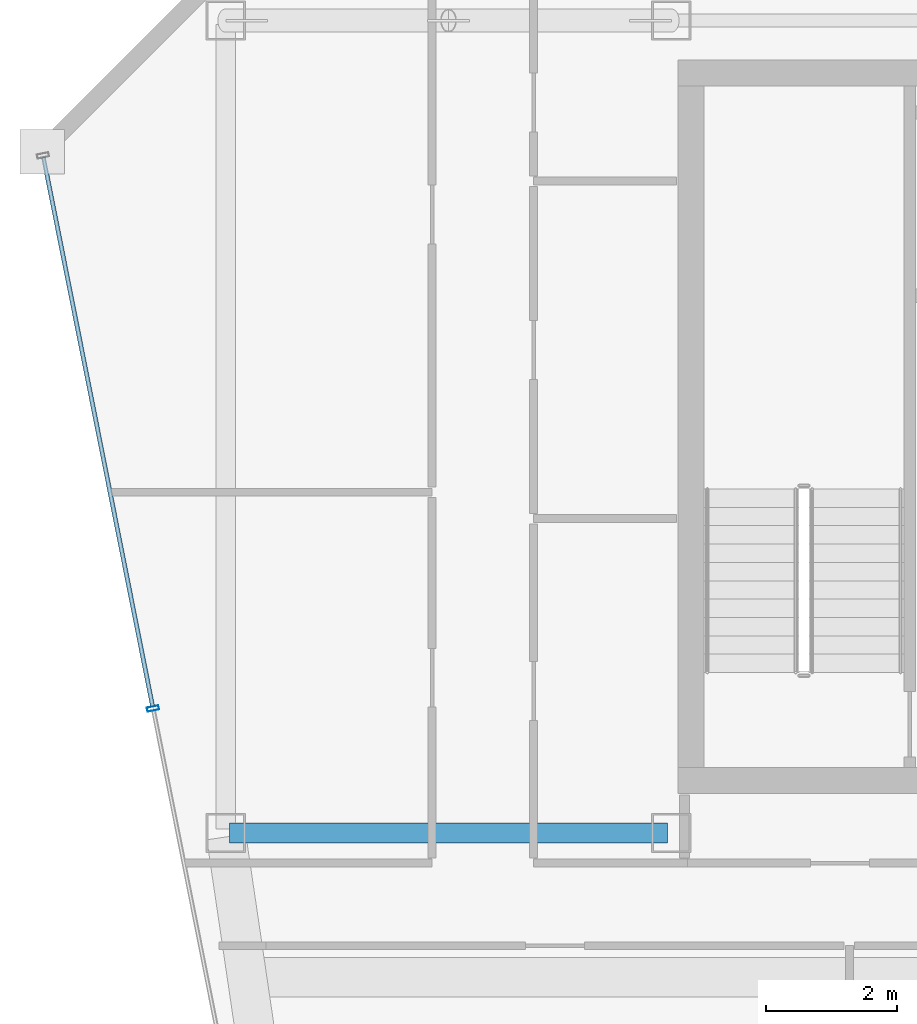
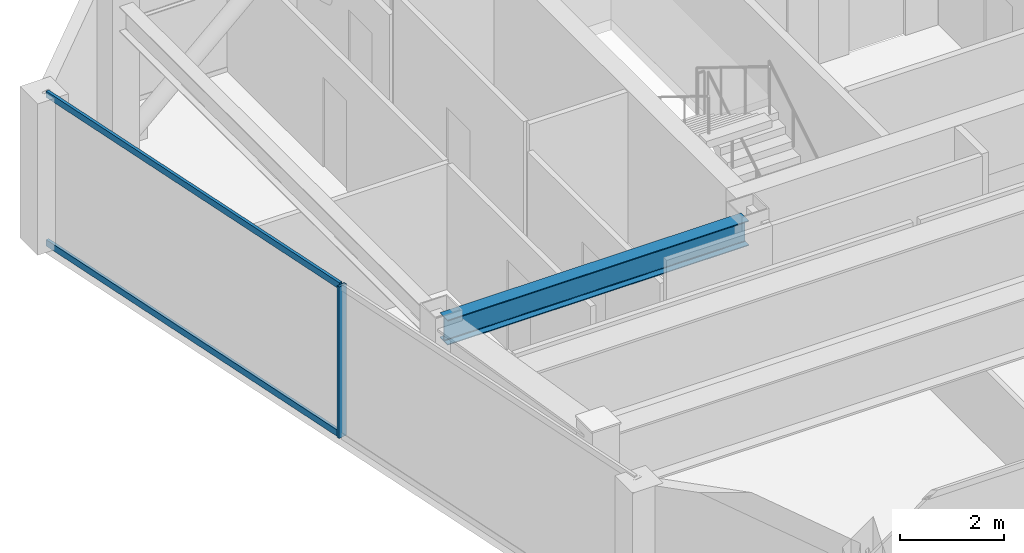
# One storey, part 5 of 24: 3 members, 1 beam, 1 element without a shape of its own.
"""IFC4 building model written with IfcOpenShell, lengths in metres."""

from ifc_helpers import new_model, si_unit, direction, frame, origin, origin_2d, place, context, subcontext, project, spatial, hollow_rectangle, i_section, extrude, material, material_profile, profile_set, type_object, element, aggregate, save


model = new_model("IFC4")

# Units and contexts
model_context = context("Model", 3, precision=1e-05, world=origin(), true_north=direction((0.0, 1.0)))
body_context = subcontext(model_context, "Body", "Model", "MODEL_VIEW")
ifc_project = project(units=[si_unit("LENGTHUNIT", "METRE"), si_unit("AREAUNIT", "SQUARE_METRE"), si_unit("VOLUMEUNIT", "CUBIC_METRE"), si_unit("PLANEANGLEUNIT", "RADIAN"), si_unit("MASSUNIT", "GRAM", prefix="KILO")], contexts=[model_context])

# Site, building, storey
site_placement = place(None, origin())
site = spatial("IfcSite", under=ifc_project, at=site_placement, CompositionType="ELEMENT")
building_placement = place(site_placement, origin())
building = spatial("IfcBuilding", under=site, at=building_placement, Name="Saevonmaru Cultural Tower", CompositionType="ELEMENT")
storey_placement = place(building_placement, frame((0.0, 0.0, 306.60009765625)))
storey = spatial("IfcBuildingStorey", under=building, at=storey_placement, Name="L73", CompositionType="ELEMENT", Elevation=306.60009765625)

# Beam
ifc_material_1 = material(Name="Steel SM355", Category="steel")
ifc_material_profile_1 = material_profile(ifc_material_1, i_section(OverallWidth=0.300048828125, OverallDepth=0.587890625, WebThickness=0.011962890625, FlangeThickness=0.02001953125, FilletRadius=0.02392578125, at=origin_2d()), Name="H-588x300x12x20")
ifc_profile_set_1 = profile_set([ifc_material_profile_1], Name="Steel SM355")
beam_type = type_object("IfcBeamType", Name="BM-G-H588", PredefinedType="BEAM", material=ifc_profile_set_1)
beam_placement = place(storey_placement, frame((6.860107421875, 42.39990234375, 3.255859375), z_axis=(1.0, 0.0, 0.0), x_axis=(0.0, 1.0, 0.0)))
element("IfcBeam", 1, at=beam_placement, inside=storey, type_object=beam_type, Name="L73 Core South Girder 1", PredefinedType="BEAM", context=body_context, shape_type="SweptSolid", body=[
    extrude(i_section(OverallWidth=0.300048828125, OverallDepth=0.587890625, WebThickness=0.011962890625, FlangeThickness=0.02001953125, FilletRadius=0.02392578125, at=origin_2d()), origin(), (0.0, 0.0, 1.0), 6.679931640625),
])

# Curtain wall, members
ifc_material_2 = material(Name="Satin Bronze Anodised Aluminium", Category="aluminium")
curtain_wall_type = type_object("IfcCurtainWallType", Name="CW-TYP-B", PredefinedType="NOTDEFINED", material=ifc_material_2)
curtain_wall_placement = place(storey_placement, origin())
curtain_wall = element("IfcCurtainWall", 2, at=curtain_wall_placement, inside=storey, type_object=curtain_wall_type, Name="L73 Unitised Curtain Wall E12", PredefinedType="NOTDEFINED")
ifc_material_profile_2 = material_profile(ifc_material_2, hollow_rectangle(XDim=0.06494140625, YDim=0.179931640625, WallThickness=0.00390625, at=origin_2d()), Name="ALU-MULL-180x65x4")
ifc_profile_set_2 = profile_set([ifc_material_profile_2], Name="Satin Bronze Anodised Aluminium")
member_type_1 = type_object("IfcMemberType", Name="ML-CW-180x65", PredefinedType="MULLION", material=ifc_profile_set_2)
member_1_placement = place(storey_placement, frame((5.68994140625, 44.300048828125, 0.0), z_axis=(0.0, 0.0, 1.0), x_axis=(0.195005484813, -0.980802151758, 0.0)))
member_1 = element("IfcMember", 3, at=member_1_placement, type_object=member_type_1, Name="CW-TW-L73-E12 mullion 2", PredefinedType="MULLION", context=body_context, shape_type="SweptSolid", body=[
    extrude(hollow_rectangle(XDim=0.06494140625, YDim=0.179931640625, WallThickness=0.00390625, at=origin_2d()), origin(), (0.0, 0.0, 1.0), 3.5498046875),
])
ifc_material_profile_3 = material_profile(ifc_material_2, hollow_rectangle(XDim=0.06494140625, YDim=0.14990234375, WallThickness=0.00390625, at=origin_2d()), Name="ALU-TRAN-150x65x4")
ifc_profile_set_3 = profile_set([ifc_material_profile_3], Name="Satin Bronze Anodised Aluminium")
member_type_2 = type_object("IfcMemberType", Name="TR-CW-150x65", PredefinedType="USERDEFINED", material=ifc_profile_set_3)
member_2_placement = place(storey_placement, frame((4.01806640625, 52.709228515625, 0.032470703125), z_axis=(0.194994665552, -0.980804302808, 0.0), x_axis=(0.980804302808, 0.194994665552, 0.0)))
member_2 = element("IfcMember", 4, at=member_2_placement, type_object=member_type_2, Name="CW-TW-L73-E12 transom 1.1", ObjectType="TRANSOM", PredefinedType="USERDEFINED", context=body_context, shape_type="SweptSolid", body=[
    extrude(hollow_rectangle(XDim=0.06494140625, YDim=0.14990234375, WallThickness=0.00390625, at=origin_2d()), origin(), (0.0, 0.0, 1.0), 8.54150390625),
])
member_3_placement = place(storey_placement, frame((4.01806640625, 52.709228515625, 3.517333984375), z_axis=(0.194994665552, -0.980804302808, 0.0), x_axis=(0.980804302808, 0.194994665552, 0.0)))
member_3 = element("IfcMember", 5, at=member_3_placement, type_object=member_type_2, Name="CW-TW-L73-E12 transom 1.2", ObjectType="TRANSOM", PredefinedType="USERDEFINED", context=body_context, shape_type="SweptSolid", body=[
    extrude(hollow_rectangle(XDim=0.06494140625, YDim=0.14990234375, WallThickness=0.00390625, at=origin_2d()), origin(), (0.0, 0.0, 1.0), 8.54150390625),
])
aggregate(curtain_wall, [member_1, member_2, member_3])

save(model, "model.ifc")
